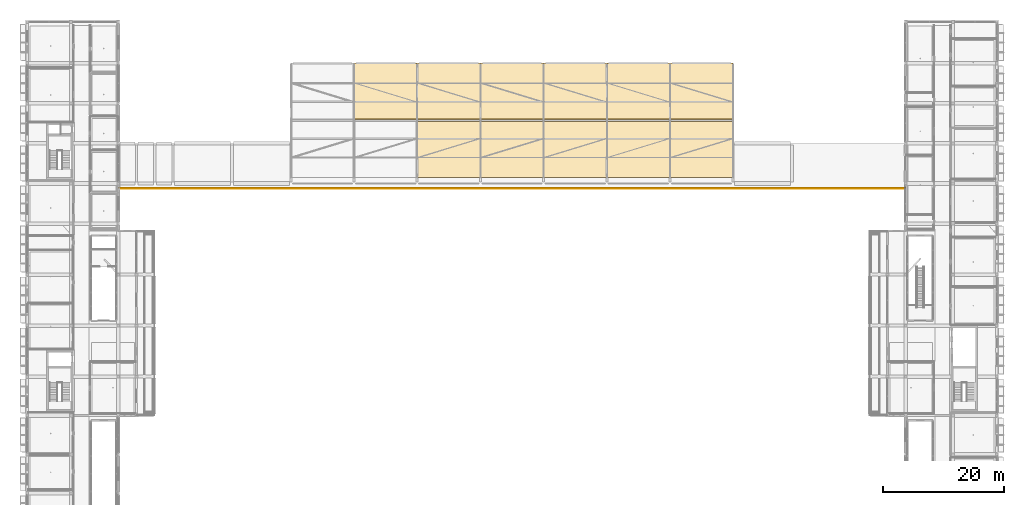
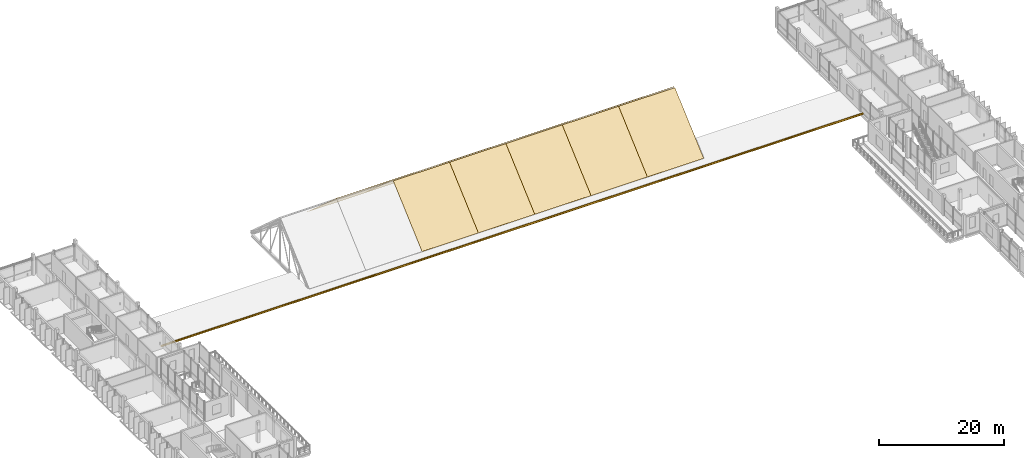
# One storey, part 82 of 86: 13 coverings.
"""IFC4 building model written with IfcOpenShell, lengths in metres."""

from ifc_helpers import new_model, si_unit, derived_unit, direction, frame, origin, origin_2d, place, context, subcontext, project, spatial, polyline, rectangle, outline, extrude, material, layer, layer_set, type_object, element, save


model = new_model("IFC4")

# Units and contexts
model_context = context("Model", 3, precision=1e-05, world=origin(), true_north=direction((0.0, 1.0)))
body_context = subcontext(model_context, "Body", "Model", "MODEL_VIEW")
ifc_project = project(units=[si_unit("LENGTHUNIT", "METRE"), si_unit("AREAUNIT", "SQUARE_METRE"), si_unit("VOLUMEUNIT", "CUBIC_METRE"), si_unit("PLANEANGLEUNIT", "RADIAN"), si_unit("MASSUNIT", "GRAM", prefix="KILO"), derived_unit("THERMALTRANSMITTANCEUNIT", [(si_unit("POWERUNIT", "WATT"), 1), (si_unit("LENGTHUNIT", "METRE"), -2), (si_unit("THERMODYNAMICTEMPERATUREUNIT", "KELVIN"), -1)])], contexts=[model_context])

# Site, building, storey
site_placement = place(None, origin())
site = spatial("IfcSite", under=ifc_project, at=site_placement, CompositionType="ELEMENT")
building_placement = place(site_placement, origin())
building = spatial("IfcBuilding", under=site, at=building_placement, Name="Braskholm Square Health Centre", CompositionType="ELEMENT")
storey_placement = place(building_placement, frame((0.0, 0.0, 13.5)))
storey = spatial("IfcBuildingStorey", under=building, at=storey_placement, Name="L04", CompositionType="ELEMENT", Elevation=13.5)

# Coverings
ifc_material_1 = material(Name="Dark patinated chevron architectural bronze", Category="aluminium")
ifc_layer_1 = layer(ifc_material_1, 0.070068359375)
ifc_layer_set_1 = layer_set([ifc_layer_1], Name="Dark patinated chevron architectural bronze")
covering_type_1 = type_object("IfcCoveringType", Name="BronzeZigguratFriezeCladding", PredefinedType="CLADDING", material=ifc_layer_set_1)
covering_1_placement = place(storey_placement, frame((84.0, 86.3798828125, -0.1201171875), z_axis=(0.0, 0.0, 1.0), x_axis=(1.0, 0.0, 0.0)))
element("IfcCovering", 1, at=covering_1_placement, inside=storey, type_object=covering_type_1, Name="Classical Art Deco architectural trim 0897", PredefinedType="CLADDING", context=body_context, shape_type="SweptSolid", body=[
    extrude(rectangle(XDim=129.60009765625, YDim=0.1201171875, at=origin_2d()), origin(), (0.0, 0.0, 1.0), 0.199951171875),
])
ifc_material_2 = material(Name="Mankato-Kasota dolomitic limestone ashlar", Category="masonry")
ifc_layer_2 = layer(ifc_material_2, 0.090087890625)
ifc_layer_set_2 = layer_set([ifc_layer_2], Name="Mankato-Kasota dolomitic limestone ashlar")
covering_type_2 = type_object("IfcCoveringType", Name="KasotaAshlarBaseCladding", PredefinedType="CLADDING", material=ifc_layer_set_2)
covering_2_placement = place(storey_placement, frame((84.0, 86.5, -0.27978515625), z_axis=(0.0, 0.0, 1.0), x_axis=(1.0, 0.0, 0.0)))
element("IfcCovering", 2, at=covering_2_placement, inside=storey, type_object=covering_type_2, Name="Classical Art Deco architectural trim 0896", PredefinedType="CLADDING", context=body_context, shape_type="SweptSolid", body=[
    extrude(rectangle(XDim=129.60009765625, YDim=0.219970703125, at=origin_2d()), origin(), (0.0, 0.0, 1.0), 0.280029296875),
])
ifc_material_3 = material(Name="Patinated standing-seam architectural copper")
ifc_layer_3 = layer(ifc_material_3, 0.0400390625)
ifc_layer_set_3 = layer_set([ifc_layer_3], Name="Patinated standing-seam architectural copper")
covering_type_3 = type_object("IfcCoveringType", Name="StandingSeamCopperRoofing", PredefinedType="ROOFING", material=ifc_layer_set_3)
covering_3_placement = place(storey_placement, frame((68.39990234375, 107.0, 0.0400390625), z_axis=(0.0, 0.665468453999, 0.746425975386), x_axis=(-1.0, 0.0, 0.0)))
element("IfcCovering", 3, at=covering_3_placement, inside=storey, type_object=covering_type_3, Name="Standing-seam copper roof Bay 2 North", PredefinedType="ROOFING", context=body_context, shape_type="SweptSolid", body=[
    extrude(outline(polyline([(0.0, 0.0), (10.39990234375, 0.0), (10.39990234375, 12.352156820843742), (0.0, 12.352156820843742), (0.0, 0.0)])), origin(), (0.0, 0.0, -1.0), 0.0400390625),
])
for number, where, z_axis, x_axis, name in (
    (4, (68.39990234375, 88.199951171875, 0.0400390625), (0.0, -0.665468453999, 0.746425975386), (1.0, 0.0, 0.0), "Standing-seam copper roof Bay 3 South"),
    (5, (78.800048828125, 107.0, 0.0400390625), (0.0, 0.665468453999, 0.746425975386), (-1.0, 0.0, 0.0), "Standing-seam copper roof Bay 3 North"),
):
    element("IfcCovering", number, at=place(storey_placement, frame(where, z_axis=z_axis, x_axis=x_axis)), inside=storey, type_object=covering_type_3, Name=name, PredefinedType="ROOFING", context=body_context, shape_type="SweptSolid", body=[
        extrude(outline(polyline([(0.0, 0.0), (10.400146484375, 0.0), (10.400146484375, 12.352156820843742), (0.0, 12.352156820843742), (0.0, 0.0)])), origin(), (0.0, 0.0, -1.0), 0.0400390625),
    ])
for number, where, z_axis, x_axis, name in (
    (6, (78.800048828125, 88.199951171875, 0.0400390625), (0.0, -0.665468453999, 0.746425975386), (1.0, 0.0, 0.0), "Standing-seam copper roof Bay 4 South"),
    (7, (89.199951171875, 107.0, 0.0400390625), (0.0, 0.665468453999, 0.746425975386), (-1.0, 0.0, 0.0), "Standing-seam copper roof Bay 4 North"),
):
    element("IfcCovering", number, at=place(storey_placement, frame(where, z_axis=z_axis, x_axis=x_axis)), inside=storey, type_object=covering_type_3, Name=name, PredefinedType="ROOFING", context=body_context, shape_type="SweptSolid", body=[
        extrude(outline(polyline([(0.0, 0.0), (10.39990234375, 0.0), (10.39990234375, 12.352156820843742), (0.0, 12.352156820843742), (0.0, 0.0)])), origin(), (0.0, 0.0, -1.0), 0.0400390625),
    ])
for number, where, z_axis, x_axis, name in (
    (8, (89.199951171875, 88.199951171875, 0.0400390625), (0.0, -0.665468453999, 0.746425975386), (1.0, 0.0, 0.0), "Standing-seam copper roof Bay 5 South"),
    (9, (99.60009765625, 107.0, 0.0400390625), (0.0, 0.665468453999, 0.746425975386), (-1.0, 0.0, 0.0), "Standing-seam copper roof Bay 5 North"),
):
    element("IfcCovering", number, at=place(storey_placement, frame(where, z_axis=z_axis, x_axis=x_axis)), inside=storey, type_object=covering_type_3, Name=name, PredefinedType="ROOFING", context=body_context, shape_type="SweptSolid", body=[
        extrude(outline(polyline([(0.0, 0.0), (10.400146484375, 0.0), (10.400146484375, 12.352156820843742), (0.0, 12.352156820843742), (0.0, 0.0)])), origin(), (0.0, 0.0, -1.0), 0.0400390625),
    ])
for number, where, z_axis, x_axis, name in (
    (10, (99.60009765625, 88.199951171875, 0.0400390625), (0.0, -0.665468453999, 0.746425975386), (1.0, 0.0, 0.0), "Standing-seam copper roof Bay 6 South"),
    (11, (110.0, 107.0, 0.0400390625), (0.0, 0.665468453999, 0.746425975386), (-1.0, 0.0, 0.0), "Standing-seam copper roof Bay 6 North"),
    (12, (110.0, 88.199951171875, 0.0400390625), (0.0, -0.665468453999, 0.746425975386), (1.0, 0.0, 0.0), "Standing-seam copper roof Bay 7 South"),
    (13, (120.39990234375, 107.0, 0.0400390625), (0.0, 0.665468453999, 0.746425975386), (-1.0, 0.0, 0.0), "Standing-seam copper roof Bay 7 North"),
):
    element("IfcCovering", number, at=place(storey_placement, frame(where, z_axis=z_axis, x_axis=x_axis)), inside=storey, type_object=covering_type_3, Name=name, PredefinedType="ROOFING", context=body_context, shape_type="SweptSolid", body=[
        extrude(outline(polyline([(0.0, 0.0), (10.39990234375, 0.0), (10.39990234375, 12.352156820843742), (0.0, 12.352156820843742), (0.0, 0.0)])), origin(), (0.0, 0.0, -1.0), 0.0400390625),
    ])

save(model, "model.ifc")
